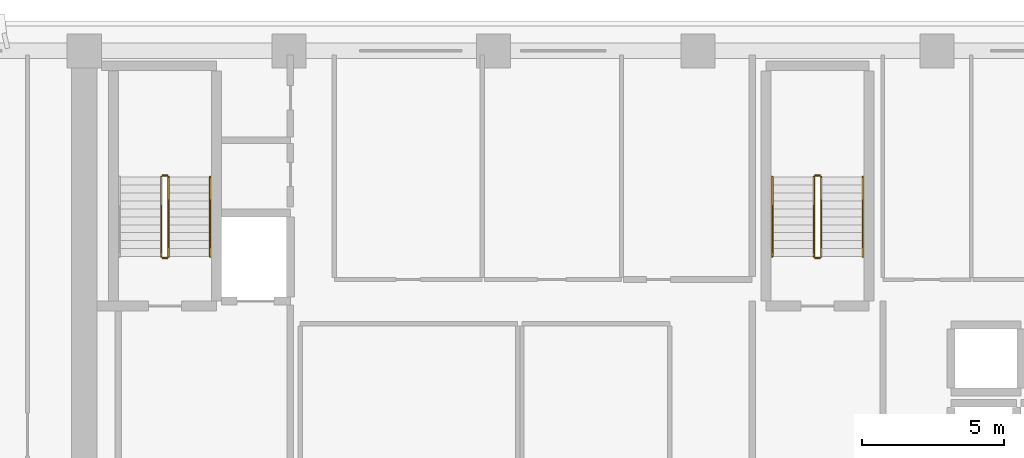
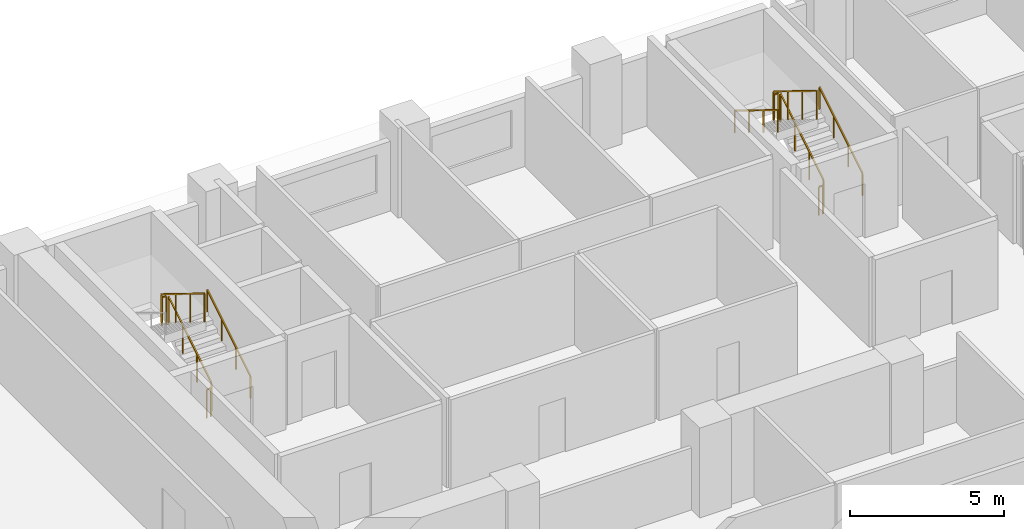
# One storey, part 12 of 14: 11 railings.
"""IFC4 building model written with IfcOpenShell, lengths in metres."""

from ifc_helpers import new_model, si_unit, direction, frame, origin, origin_2d, place, context, subcontext, project, spatial, rectangle, extrude, material, type_object, element, save


model = new_model("IFC4")

# Units and contexts
model_context = context("Model", 3, precision=1e-05, world=origin(), true_north=direction((0.0, 1.0)))
body_context = subcontext(model_context, "Body", "Model", "MODEL_VIEW")
ifc_project = project(units=[si_unit("LENGTHUNIT", "METRE"), si_unit("AREAUNIT", "SQUARE_METRE"), si_unit("VOLUMEUNIT", "CUBIC_METRE"), si_unit("PLANEANGLEUNIT", "RADIAN"), si_unit("MASSUNIT", "GRAM", prefix="KILO")], contexts=[model_context])

# Site, building, storey
site_placement = place(None, origin())
site = spatial("IfcSite", under=ifc_project, at=site_placement, CompositionType="ELEMENT")
building_placement = place(site_placement, origin())
building = spatial("IfcBuilding", under=site, at=building_placement, Name="Kaelvorn Grand Hotel", CompositionType="ELEMENT")
storey_placement = place(building_placement, frame((0.0, 0.0, 193.949951171875)))
storey = spatial("IfcBuildingStorey", under=building, at=storey_placement, Name="L47", CompositionType="ELEMENT", Elevation=193.949951171875)

# Railings
ifc_material = material(Name="Stainless Steel", Category="steel")
railing_type_1 = type_object("IfcRailingType", Name="RL-HANDRAIL-900", PredefinedType="HANDRAIL", material=ifc_material)
for number, where, name in (
    (1, (20.6298828125, 41.760009765625, 0.1728515625), "L47 ST1 stair handrail 1"),
    (2, (43.590087890625, 41.760009765625, 0.1728515625), "L47 ST2 stair handrail 1"),
):
    element("IfcRailing", number, at=place(storey_placement, frame(where)), inside=storey, type_object=railing_type_1, Name=name, PredefinedType="HANDRAIL", context=body_context, shape_type="SweptSolid", body=[
        extrude(rectangle(XDim=0.048095703125, YDim=0.048095703125, at=origin_2d()), frame((0.0, 0.0, 0.8759765625), z_axis=(0.0, 0.851089632645, 0.525020415988), x_axis=(-1.0, 0.0, 0.0)), (0.0, 0.0, 1.0), 3.2900390625),
        extrude(rectangle(XDim=0.0419921875, YDim=0.0419921875, at=origin_2d()), origin(), (0.0, 0.0, 1.0), 0.851806640625),
        extrude(rectangle(XDim=0.0419921875, YDim=0.0419921875, at=origin_2d()), frame((0.0, 0.933349609375, 0.57568359375)), (0.0, 0.0, 1.0), 0.851806640625),
        extrude(rectangle(XDim=0.0419921875, YDim=0.0419921875, at=origin_2d()), frame((0.0, 1.86669921875, 1.151611328125)), (0.0, 0.0, 1.0), 0.851806640625),
        extrude(rectangle(XDim=0.0419921875, YDim=0.0419921875, at=origin_2d()), frame((0.0, 2.800048828125, 1.727294921875)), (0.0, 0.0, 1.0), 0.851806640625),
    ])
railing_1_placement = place(storey_placement, frame((40.409912109375, 44.56005859375, 2.07275390625)))
element("IfcRailing", 3, at=railing_1_placement, inside=storey, type_object=railing_type_1, Name="L47 ST2 stair handrail 2", PredefinedType="HANDRAIL", context=body_context, shape_type="SweptSolid", body=[
    extrude(rectangle(XDim=0.048095703125, YDim=0.048095703125, at=origin_2d()), frame((0.0, 0.0, 0.8759765625), z_axis=(0.0, -0.851089632645, 0.525020415988), x_axis=(1.0, 0.0, 0.0)), (0.0, 0.0, 1.0), 3.2900390625),
    extrude(rectangle(XDim=0.0419921875, YDim=0.0419921875, at=origin_2d()), origin(), (0.0, 0.0, 1.0), 0.851806640625),
    extrude(rectangle(XDim=0.0419921875, YDim=0.0419921875, at=origin_2d()), frame((0.0, -0.933349609375, 0.57568359375)), (0.0, 0.0, 1.0), 0.851806640625),
    extrude(rectangle(XDim=0.0419921875, YDim=0.0419921875, at=origin_2d()), frame((0.0, -1.86669921875, 1.151611328125)), (0.0, 0.0, 1.0), 0.851806640625),
    extrude(rectangle(XDim=0.0419921875, YDim=0.0419921875, at=origin_2d()), frame((0.0, -2.800048828125, 1.727294921875)), (0.0, 0.0, 1.0), 0.851806640625),
])
railing_type_2 = type_object("IfcRailingType", Name="RL-STAIR-GUARD-1150", PredefinedType="BALUSTRADE", material=ifc_material)
railing_2_placement = place(storey_placement, frame((19.169921875, 41.760009765625, 0.1728515625)))
element("IfcRailing", 4, at=railing_2_placement, inside=storey, type_object=railing_type_2, Name="L47 ST1 stair guard 1", PredefinedType="BALUSTRADE", context=body_context, shape_type="SweptSolid", body=[
    extrude(rectangle(XDim=0.048095703125, YDim=0.048095703125, at=origin_2d()), frame((0.0, 0.0, 1.1259765625), z_axis=(0.0, 0.851089632645, 0.525020415988), x_axis=(-1.0, 0.0, 0.0)), (0.0, 0.0, 1.0), 3.2900390625),
    extrude(rectangle(XDim=0.0419921875, YDim=0.0419921875, at=origin_2d()), origin(), (0.0, 0.0, 1.0), 1.101806640625),
    extrude(rectangle(XDim=0.0419921875, YDim=0.0419921875, at=origin_2d()), frame((0.0, 0.933349609375, 0.57568359375)), (0.0, 0.0, 1.0), 1.101806640625),
    extrude(rectangle(XDim=0.0419921875, YDim=0.0419921875, at=origin_2d()), frame((0.0, 1.86669921875, 1.151611328125)), (0.0, 0.0, 1.0), 1.101806640625),
    extrude(rectangle(XDim=0.0419921875, YDim=0.0419921875, at=origin_2d()), frame((0.0, 2.800048828125, 1.727294921875)), (0.0, 0.0, 1.0), 1.101806640625),
])
railing_3_placement = place(storey_placement, frame((19.1201171875, 44.610107421875, 1.900146484375)))
element("IfcRailing", 5, at=railing_3_placement, inside=storey, type_object=railing_type_2, Name="L47 ST1 stair guard 2", PredefinedType="BALUSTRADE", context=body_context, shape_type="SweptSolid", body=[
    extrude(rectangle(XDim=0.048095703125, YDim=0.048095703125, at=origin_2d()), frame((0.0, 0.0, 1.1259765625), z_axis=(-1.0, 0.0, 0.0), x_axis=(0.0, -1.0, 0.0)), (0.0, 0.0, 1.0), 0.16015625),
    extrude(rectangle(XDim=0.0419921875, YDim=0.0419921875, at=origin_2d()), origin(), (0.0, 0.0, 1.0), 1.101806640625),
    extrude(rectangle(XDim=0.0419921875, YDim=0.0419921875, at=origin_2d()), frame((-0.16015625, 0.0, 0.0)), (0.0, 0.0, 1.0), 1.101806640625),
])
railing_4_placement = place(storey_placement, frame((18.909912109375, 44.56005859375, 2.07275390625)))
element("IfcRailing", 6, at=railing_4_placement, inside=storey, type_object=railing_type_2, Name="L47 ST1 stair guard 3", PredefinedType="BALUSTRADE", context=body_context, shape_type="SweptSolid", body=[
    extrude(rectangle(XDim=0.048095703125, YDim=0.048095703125, at=origin_2d()), frame((0.0, 0.0, 1.1259765625), z_axis=(0.0, -0.851089632645, 0.525020415988), x_axis=(1.0, 0.0, 0.0)), (0.0, 0.0, 1.0), 3.2900390625),
    extrude(rectangle(XDim=0.0419921875, YDim=0.0419921875, at=origin_2d()), origin(), (0.0, 0.0, 1.0), 1.101806640625),
    extrude(rectangle(XDim=0.0419921875, YDim=0.0419921875, at=origin_2d()), frame((0.0, -0.933349609375, 0.57568359375)), (0.0, 0.0, 1.0), 1.101806640625),
    extrude(rectangle(XDim=0.0419921875, YDim=0.0419921875, at=origin_2d()), frame((0.0, -1.86669921875, 1.151611328125)), (0.0, 0.0, 1.0), 1.101806640625),
    extrude(rectangle(XDim=0.0419921875, YDim=0.0419921875, at=origin_2d()), frame((0.0, -2.800048828125, 1.727294921875)), (0.0, 0.0, 1.0), 1.101806640625),
])
railing_5_placement = place(storey_placement, frame((19.1201171875, 41.7099609375, 0.0)))
element("IfcRailing", 7, at=railing_5_placement, inside=storey, type_object=railing_type_2, Name="L47 ST1 stair guard 4", PredefinedType="BALUSTRADE", context=body_context, shape_type="SweptSolid", body=[
    extrude(rectangle(XDim=0.048095703125, YDim=0.048095703125, at=origin_2d()), frame((0.0, 0.0, 1.1259765625), z_axis=(-1.0, 0.0, 0.0), x_axis=(0.0, -1.0, 0.0)), (0.0, 0.0, 1.0), 0.16015625),
    extrude(rectangle(XDim=0.0419921875, YDim=0.0419921875, at=origin_2d()), origin(), (0.0, 0.0, 1.0), 1.101806640625),
    extrude(rectangle(XDim=0.0419921875, YDim=0.0419921875, at=origin_2d()), frame((-0.16015625, 0.0, 0.0)), (0.0, 0.0, 1.0), 1.101806640625),
])
railing_6_placement = place(storey_placement, frame((42.1298828125, 41.760009765625, 0.1728515625)))
element("IfcRailing", 8, at=railing_6_placement, inside=storey, type_object=railing_type_2, Name="L47 ST2 stair guard 1", PredefinedType="BALUSTRADE", context=body_context, shape_type="SweptSolid", body=[
    extrude(rectangle(XDim=0.048095703125, YDim=0.048095703125, at=origin_2d()), frame((0.0, 0.0, 1.1259765625), z_axis=(0.0, 0.851089632645, 0.525020415988), x_axis=(-1.0, 0.0, 0.0)), (0.0, 0.0, 1.0), 3.2900390625),
    extrude(rectangle(XDim=0.0419921875, YDim=0.0419921875, at=origin_2d()), origin(), (0.0, 0.0, 1.0), 1.101806640625),
    extrude(rectangle(XDim=0.0419921875, YDim=0.0419921875, at=origin_2d()), frame((0.0, 0.933349609375, 0.57568359375)), (0.0, 0.0, 1.0), 1.101806640625),
    extrude(rectangle(XDim=0.0419921875, YDim=0.0419921875, at=origin_2d()), frame((0.0, 1.86669921875, 1.151611328125)), (0.0, 0.0, 1.0), 1.101806640625),
    extrude(rectangle(XDim=0.0419921875, YDim=0.0419921875, at=origin_2d()), frame((0.0, 2.800048828125, 1.727294921875)), (0.0, 0.0, 1.0), 1.101806640625),
])
railing_7_placement = place(storey_placement, frame((42.080078125, 44.610107421875, 1.900146484375)))
element("IfcRailing", 9, at=railing_7_placement, inside=storey, type_object=railing_type_2, Name="L47 ST2 stair guard 2", PredefinedType="BALUSTRADE", context=body_context, shape_type="SweptSolid", body=[
    extrude(rectangle(XDim=0.048095703125, YDim=0.048095703125, at=origin_2d()), frame((0.0, 0.0, 1.1259765625), z_axis=(-1.0, 0.0, 0.0), x_axis=(0.0, -1.0, 0.0)), (0.0, 0.0, 1.0), 0.16015625),
    extrude(rectangle(XDim=0.0419921875, YDim=0.0419921875, at=origin_2d()), origin(), (0.0, 0.0, 1.0), 1.101806640625),
    extrude(rectangle(XDim=0.0419921875, YDim=0.0419921875, at=origin_2d()), frame((-0.16015625, 0.0, 0.0)), (0.0, 0.0, 1.0), 1.101806640625),
])
railing_8_placement = place(storey_placement, frame((41.8701171875, 44.56005859375, 2.07275390625)))
element("IfcRailing", 10, at=railing_8_placement, inside=storey, type_object=railing_type_2, Name="L47 ST2 stair guard 3", PredefinedType="BALUSTRADE", context=body_context, shape_type="SweptSolid", body=[
    extrude(rectangle(XDim=0.048095703125, YDim=0.048095703125, at=origin_2d()), frame((0.0, 0.0, 1.1259765625), z_axis=(0.0, -0.851089632645, 0.525020415988), x_axis=(1.0, 0.0, 0.0)), (0.0, 0.0, 1.0), 3.2900390625),
    extrude(rectangle(XDim=0.0419921875, YDim=0.0419921875, at=origin_2d()), origin(), (0.0, 0.0, 1.0), 1.101806640625),
    extrude(rectangle(XDim=0.0419921875, YDim=0.0419921875, at=origin_2d()), frame((0.0, -0.933349609375, 0.57568359375)), (0.0, 0.0, 1.0), 1.101806640625),
    extrude(rectangle(XDim=0.0419921875, YDim=0.0419921875, at=origin_2d()), frame((0.0, -1.86669921875, 1.151611328125)), (0.0, 0.0, 1.0), 1.101806640625),
    extrude(rectangle(XDim=0.0419921875, YDim=0.0419921875, at=origin_2d()), frame((0.0, -2.800048828125, 1.727294921875)), (0.0, 0.0, 1.0), 1.101806640625),
])
railing_9_placement = place(storey_placement, frame((42.080078125, 41.7099609375, 0.0)))
element("IfcRailing", 11, at=railing_9_placement, inside=storey, type_object=railing_type_2, Name="L47 ST2 stair guard 4", PredefinedType="BALUSTRADE", context=body_context, shape_type="SweptSolid", body=[
    extrude(rectangle(XDim=0.048095703125, YDim=0.048095703125, at=origin_2d()), frame((0.0, 0.0, 1.1259765625), z_axis=(-1.0, 0.0, 0.0), x_axis=(0.0, -1.0, 0.0)), (0.0, 0.0, 1.0), 0.16015625),
    extrude(rectangle(XDim=0.0419921875, YDim=0.0419921875, at=origin_2d()), origin(), (0.0, 0.0, 1.0), 1.101806640625),
    extrude(rectangle(XDim=0.0419921875, YDim=0.0419921875, at=origin_2d()), frame((-0.16015625, 0.0, 0.0)), (0.0, 0.0, 1.0), 1.101806640625),
])

save(model, "model.ifc")
